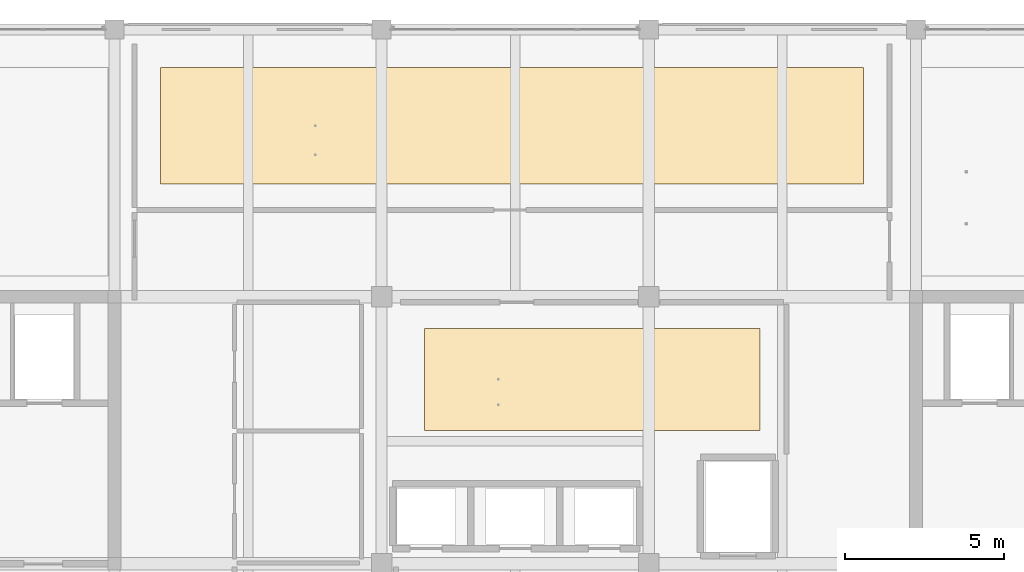
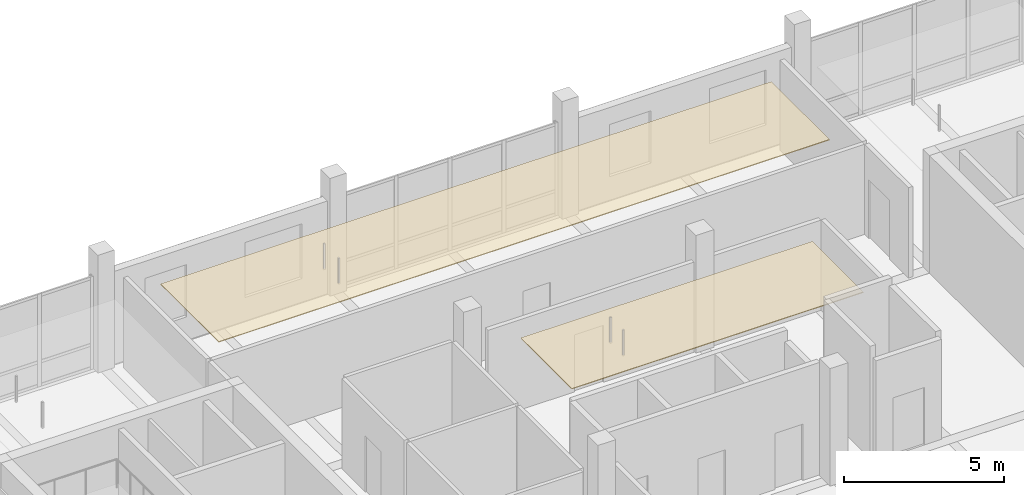
# One storey, part 25 of 29: 2 coverings.
"""IFC4 building model written with IfcOpenShell, lengths in metres."""

from ifc_helpers import new_model, si_unit, direction, frame, origin, place, context, subcontext, project, spatial, polyline, outline, extrude, material, layer, layer_set, type_object, element, save


model = new_model("IFC4")

# Units and contexts
model_context = context("Model", 3, precision=1e-05, world=origin(), true_north=direction((0.0, 1.0)))
body_context = subcontext(model_context, "Body", "Model", "MODEL_VIEW")
ifc_project = project(units=[si_unit("LENGTHUNIT", "METRE"), si_unit("AREAUNIT", "SQUARE_METRE"), si_unit("VOLUMEUNIT", "CUBIC_METRE"), si_unit("PLANEANGLEUNIT", "RADIAN"), si_unit("MASSUNIT", "GRAM", prefix="KILO")], contexts=[model_context])

# Site, building, storey
site_placement = place(None, origin())
site = spatial("IfcSite", under=ifc_project, at=site_placement, CompositionType="ELEMENT")
building_placement = place(site_placement, origin())
building = spatial("IfcBuilding", under=site, at=building_placement, Name="Telukmera Botanical Conservatory", CompositionType="ELEMENT")
storey_placement = place(building_placement, frame((0.0, 0.0, 55.5)))
storey = spatial("IfcBuildingStorey", under=building, at=storey_placement, Name="L12", CompositionType="ELEMENT", Elevation=55.5)

# Coverings
ifc_material = material(Name="Mineral fibre acoustic ceiling")
ifc_layer = layer(ifc_material, 0.030029296875)
ifc_layer_set = layer_set([ifc_layer], Name="Mineral fibre acoustic ceiling")
covering_type = type_object("IfcCoveringType", Name="COV-CEIL-30", PredefinedType="CEILING", material=ifc_layer_set)
covering_1_placement = place(storey_placement, frame((0.0, 0.0, 3.320068359375)))
element("IfcCovering", 1, at=covering_1_placement, inside=storey, type_object=covering_type, Name="L12 Electron Microscopy Preparation Room Suspended Acoustic Ceiling", PredefinedType="CEILING", context=body_context, shape_type="SweptSolid", body=[
    extrude(outline(polyline([(76.949951171875, 30.199951171875), (87.5, 30.199951171875), (87.5, 33.39990234375), (76.949951171875, 33.39990234375), (76.949951171875, 30.199951171875)])), origin(), (0.0, 0.0, 1.0), 0.030029296875),
])
covering_2_placement = place(storey_placement, frame((0.0, 0.0, 3.320068359375)))
element("IfcCovering", 2, at=covering_2_placement, inside=storey, type_object=covering_type, Name="L12 Digital Photomicrography Studio Suspended Acoustic Ceiling", PredefinedType="CEILING", context=body_context, shape_type="SweptSolid", body=[
    extrude(outline(polyline([(68.64990234375, 37.949951171875), (90.75, 37.949951171875), (90.75, 41.60009765625), (68.64990234375, 41.60009765625), (68.64990234375, 37.949951171875)])), origin(), (0.0, 0.0, 1.0), 0.030029296875),
])

save(model, "model.ifc")
